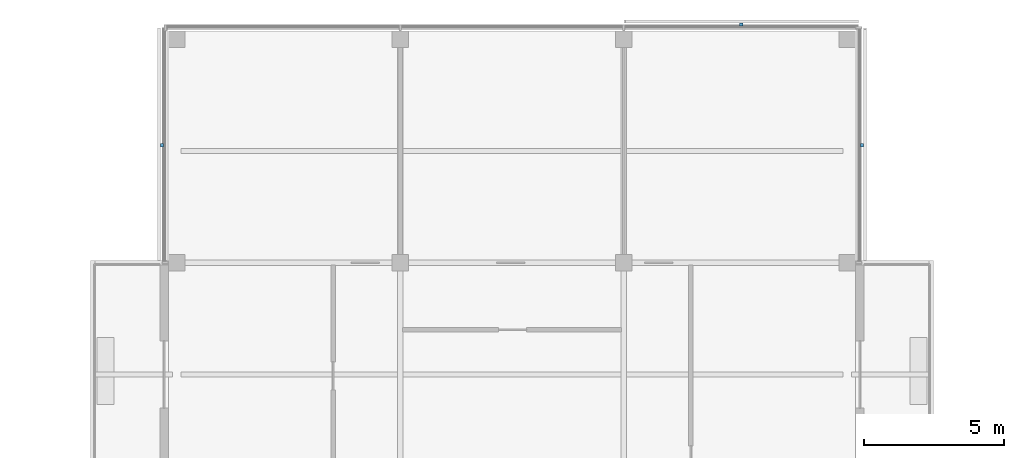
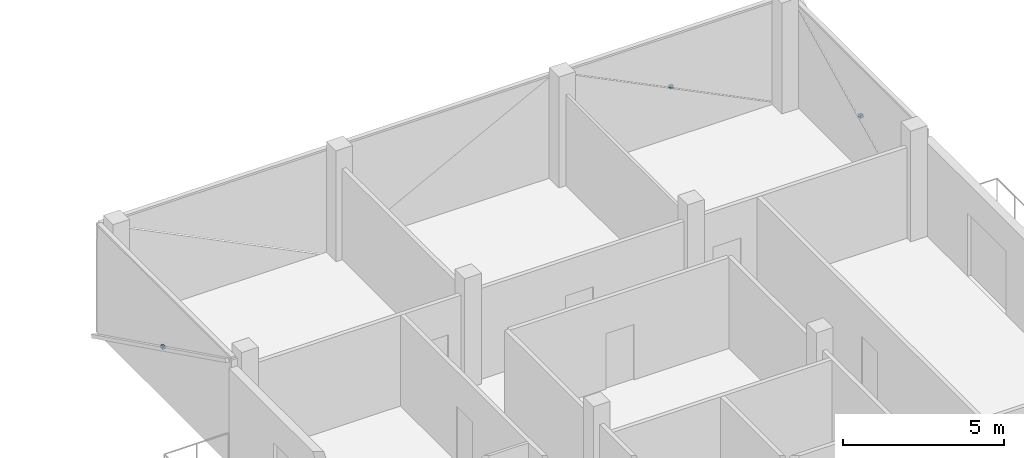
# One storey, part 11 of 12: 3 discrete accessories.
"""IFC4 building model written with IfcOpenShell, lengths in metres."""

from ifc_helpers import new_model, si_unit, direction, frame, origin, origin_2d, place, context, subcontext, project, spatial, rectangle, extrude, material, type_object, element, save


model = new_model("IFC4")

# Units and contexts
model_context = context("Model", 3, precision=1e-05, world=origin(), true_north=direction((0.0, 1.0)))
body_context = subcontext(model_context, "Body", "Model", "MODEL_VIEW")
ifc_project = project(units=[si_unit("LENGTHUNIT", "METRE"), si_unit("AREAUNIT", "SQUARE_METRE"), si_unit("VOLUMEUNIT", "CUBIC_METRE"), si_unit("PLANEANGLEUNIT", "RADIAN"), si_unit("MASSUNIT", "GRAM", prefix="KILO")], contexts=[model_context])

# Site, building, storey
site_placement = place(None, origin())
site = spatial("IfcSite", under=ifc_project, at=site_placement, CompositionType="ELEMENT")
building_placement = place(site_placement, origin())
building = spatial("IfcBuilding", under=site, at=building_placement, Name="Crosswind Convention Tower", CompositionType="ELEMENT")
storey_placement = place(building_placement, frame((0.0, 0.0, 311.300048828125)))
storey = spatial("IfcBuildingStorey", under=building, at=storey_placement, Name="L67", CompositionType="ELEMENT", Elevation=311.300048828125)

# Discrete accessories
ifc_material = material(Name="Stainless steel", Category="steel")
discrete_accessory_type = type_object("IfcDiscreteAccessoryType", Name="BAGUETTE BRACKET BK3", PredefinedType="BRACKET", material=ifc_material)
for number, where, z_axis, x_axis, name in (
    (1, (137.52587890625, 124.205078125, 1.704833984375), (0.0, 0.0, 1.0), (0.0, 1.0, 0.0), "BK3 baguette bracket"),
    (2, (133.205078125, 128.52587890625, 1.704833984375), (0.0, 0.0, 1.0), (-1.0, 0.0, 0.0), "BK3 baguette bracket"),
    (3, (112.47412109375, 124.205078125, 1.704833984375), (0.0, 0.0, 1.0), (0.0, -1.0, 0.0), "BK3 baguette bracket"),
):
    element("IfcDiscreteAccessory", number, at=place(storey_placement, frame(where, z_axis=z_axis, x_axis=x_axis)), inside=storey, type_object=discrete_accessory_type, Name=name, PredefinedType="BRACKET", context=body_context, shape_type="SweptSolid", body=[
        extrude(rectangle(XDim=0.1201171875, YDim=0.10009765625, at=origin_2d()), origin(), (0.0, 0.0, 1.0), 0.1201171875),
    ])

save(model, "model.ifc")
